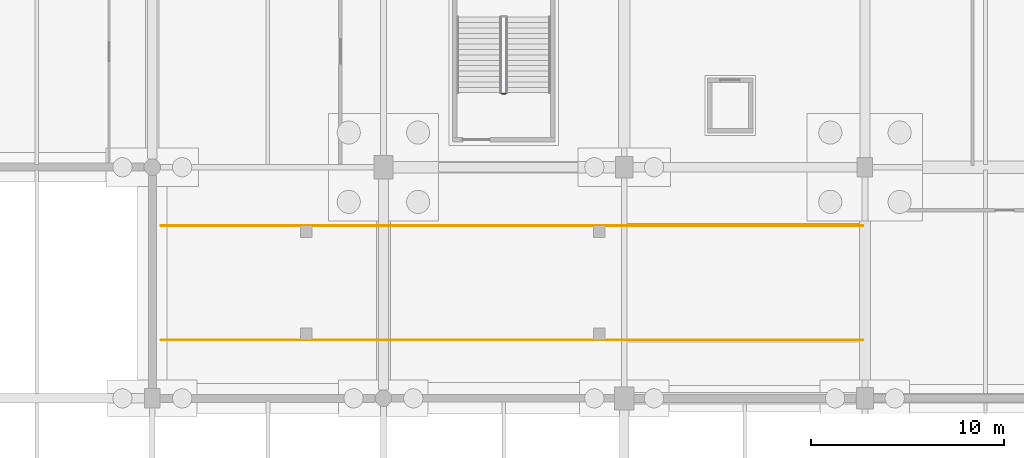
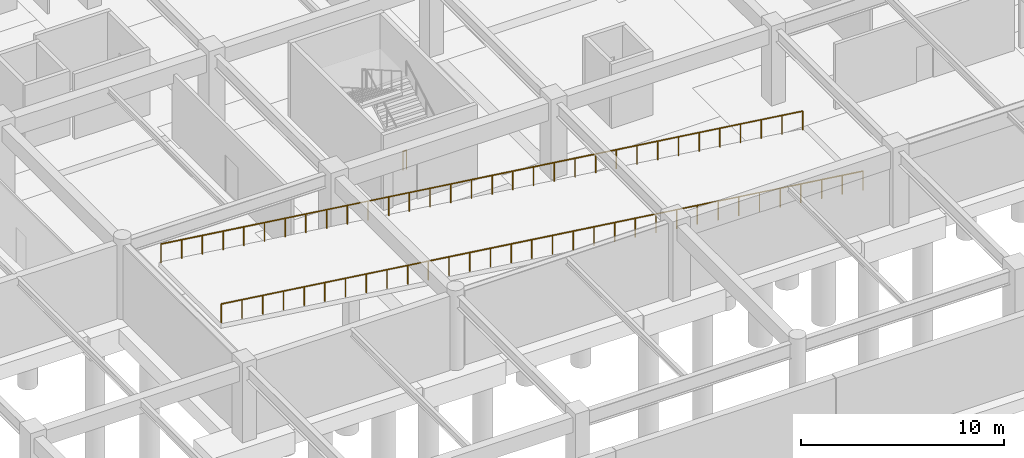
# One storey, part 42 of 56: 3 railings.
"""IFC4 building model written with IfcOpenShell, lengths in metres."""

from ifc_helpers import new_model, si_unit, direction, frame, origin, origin_2d, place, context, subcontext, project, spatial, circle, extrude, material, layer, layer_set, type_object, element, save


model = new_model("IFC4")

# Units and contexts
model_context = context("Model", 3, precision=1e-05, world=origin(), true_north=direction((0.0, 1.0)))
body_context = subcontext(model_context, "Body", "Model", "MODEL_VIEW")
ifc_project = project(units=[si_unit("LENGTHUNIT", "METRE"), si_unit("AREAUNIT", "SQUARE_METRE"), si_unit("VOLUMEUNIT", "CUBIC_METRE"), si_unit("PLANEANGLEUNIT", "RADIAN"), si_unit("MASSUNIT", "GRAM", prefix="KILO")], contexts=[model_context])

# Site, building, storey
site_placement = place(None, origin())
site = spatial("IfcSite", under=ifc_project, at=site_placement, CompositionType="ELEMENT")
building_placement = place(site_placement, origin())
building = spatial("IfcBuilding", under=site, at=building_placement, Name="Kazenohara Klinker Stadium", CompositionType="ELEMENT")
storey_placement = place(building_placement, frame((0.0, 0.0, -4.800048828125)))
storey = spatial("IfcBuildingStorey", under=building, at=storey_placement, Name="B01", CompositionType="ELEMENT", Elevation=-4.800048828125)

# Railings
ifc_material_1 = material(Name="Galvanised powder-coated steel guardrail", Category="steel")
ifc_layer_1 = layer(ifc_material_1, 0.070068359375)
ifc_layer_set_1 = layer_set([ifc_layer_1], Name="Galvanised powder-coated steel guardrail")
railing_type_1 = type_object("IfcRailingType", Name="RL-GRD-1150", PredefinedType="GUARDRAIL", material=ifc_layer_set_1)
railing_1_placement = place(storey_placement, frame((12.449951171875, 15.030029296875, 4.7900390625)))
element("IfcRailing", 1, at=railing_1_placement, inside=storey, type_object=railing_type_1, Name="Sloped vehicle ramp kerb guardrail GR01-RV01-S", PredefinedType="GUARDRAIL", context=body_context, shape_type="SweptSolid", body=[
    extrude(circle(Radius=0.02392578125, at=origin_2d()), frame((0.0, 0.0, 1.1259765625), z_axis=(0.991510555249, 0.0, -0.130026223626), x_axis=(0.0, 1.0, 0.0)), (0.0, 0.0, 1.0), 36.761962890625),
    extrude(circle(Radius=0.02099609375, at=origin_2d()), origin(), (0.0, 0.0, 1.0), 1.101806640625),
    extrude(circle(Radius=0.02099609375, at=origin_2d()), frame((1.17578125, 0.0, -0.154296875)), (0.0, 0.0, 1.0), 1.101806640625),
    extrude(circle(Radius=0.02099609375, at=origin_2d()), frame((2.3515625, 0.0, -0.308349609375)), (0.0, 0.0, 1.0), 1.101806640625),
    extrude(circle(Radius=0.02099609375, at=origin_2d()), frame((3.52734375, 0.0, -0.462646484375)), (0.0, 0.0, 1.0), 1.101806640625),
    extrude(circle(Radius=0.02099609375, at=origin_2d()), frame((4.703125, 0.0, -0.61669921875)), (0.0, 0.0, 1.0), 1.101806640625),
    extrude(circle(Radius=0.02099609375, at=origin_2d()), frame((5.87890625, 0.0, -0.77099609375)), (0.0, 0.0, 1.0), 1.101806640625),
    extrude(circle(Radius=0.02099609375, at=origin_2d()), frame((7.054931640625, 0.0, -0.925048828125)), (0.0, 0.0, 1.0), 1.101806640625),
    extrude(circle(Radius=0.02099609375, at=origin_2d()), frame((8.230712890625, 0.0, -1.079345703125)), (0.0, 0.0, 1.0), 1.101806640625),
    extrude(circle(Radius=0.02099609375, at=origin_2d()), frame((9.406494140625, 0.0, -1.233642578125)), (0.0, 0.0, 1.0), 1.101806640625),
    extrude(circle(Radius=0.02099609375, at=origin_2d()), frame((10.582275390625, 0.0, -1.3876953125)), (0.0, 0.0, 1.0), 1.101806640625),
    extrude(circle(Radius=0.02099609375, at=origin_2d()), frame((11.758056640625, 0.0, -1.5419921875)), (0.0, 0.0, 1.0), 1.101806640625),
    extrude(circle(Radius=0.02099609375, at=origin_2d()), frame((12.933837890625, 0.0, -1.696044921875)), (0.0, 0.0, 1.0), 1.101806640625),
    extrude(circle(Radius=0.02099609375, at=origin_2d()), frame((14.109619140625, 0.0, -1.850341796875)), (0.0, 0.0, 1.0), 1.101806640625),
    extrude(circle(Radius=0.02099609375, at=origin_2d()), frame((15.285400390625, 0.0, -2.004638671875)), (0.0, 0.0, 1.0), 1.101806640625),
    extrude(circle(Radius=0.02099609375, at=origin_2d()), frame((16.461181640625, 0.0, -2.15869140625)), (0.0, 0.0, 1.0), 1.101806640625),
    extrude(circle(Radius=0.02099609375, at=origin_2d()), frame((17.636962890625, 0.0, -2.31298828125)), (0.0, 0.0, 1.0), 1.101806640625),
    extrude(circle(Radius=0.02099609375, at=origin_2d()), frame((18.81298828125, 0.0, -2.467041015625)), (0.0, 0.0, 1.0), 1.101806640625),
    extrude(circle(Radius=0.02099609375, at=origin_2d()), frame((19.98876953125, 0.0, -2.621337890625)), (0.0, 0.0, 1.0), 1.101806640625),
    extrude(circle(Radius=0.02099609375, at=origin_2d()), frame((21.16455078125, 0.0, -2.775390625)), (0.0, 0.0, 1.0), 1.101806640625),
    extrude(circle(Radius=0.02099609375, at=origin_2d()), frame((22.34033203125, 0.0, -2.9296875)), (0.0, 0.0, 1.0), 1.101806640625),
    extrude(circle(Radius=0.02099609375, at=origin_2d()), frame((23.51611328125, 0.0, -3.083984375)), (0.0, 0.0, 1.0), 1.101806640625),
    extrude(circle(Radius=0.02099609375, at=origin_2d()), frame((24.69189453125, 0.0, -3.238037109375)), (0.0, 0.0, 1.0), 1.101806640625),
    extrude(circle(Radius=0.02099609375, at=origin_2d()), frame((25.86767578125, 0.0, -3.392333984375)), (0.0, 0.0, 1.0), 1.101806640625),
    extrude(circle(Radius=0.02099609375, at=origin_2d()), frame((27.04345703125, 0.0, -3.54638671875)), (0.0, 0.0, 1.0), 1.101806640625),
    extrude(circle(Radius=0.02099609375, at=origin_2d()), frame((28.21923828125, 0.0, -3.70068359375)), (0.0, 0.0, 1.0), 1.101806640625),
    extrude(circle(Radius=0.02099609375, at=origin_2d()), frame((29.39501953125, 0.0, -3.85498046875)), (0.0, 0.0, 1.0), 1.101806640625),
    extrude(circle(Radius=0.02099609375, at=origin_2d()), frame((30.571044921875, 0.0, -4.009033203125)), (0.0, 0.0, 1.0), 1.101806640625),
    extrude(circle(Radius=0.02099609375, at=origin_2d()), frame((31.746826171875, 0.0, -4.163330078125)), (0.0, 0.0, 1.0), 1.101806640625),
    extrude(circle(Radius=0.02099609375, at=origin_2d()), frame((32.922607421875, 0.0, -4.3173828125)), (0.0, 0.0, 1.0), 1.101806640625),
    extrude(circle(Radius=0.02099609375, at=origin_2d()), frame((34.098388671875, 0.0, -4.4716796875)), (0.0, 0.0, 1.0), 1.101806640625),
    extrude(circle(Radius=0.02099609375, at=origin_2d()), frame((35.274169921875, 0.0, -4.625732421875)), (0.0, 0.0, 1.0), 1.101806640625),
    extrude(circle(Radius=0.02099609375, at=origin_2d()), frame((36.449951171875, 0.0, -4.780029296875)), (0.0, 0.0, 1.0), 1.101806640625),
])
railing_2_placement = place(storey_placement, frame((12.449951171875, 20.969970703125, 4.7900390625)))
element("IfcRailing", 2, at=railing_2_placement, inside=storey, type_object=railing_type_1, Name="Sloped vehicle ramp kerb guardrail GR01-RV01-N", PredefinedType="GUARDRAIL", context=body_context, shape_type="SweptSolid", body=[
    extrude(circle(Radius=0.02392578125, at=origin_2d()), frame((0.0, 0.0, 1.1259765625), z_axis=(0.991510555249, 0.0, -0.130026223626), x_axis=(0.0, 1.0, 0.0)), (0.0, 0.0, 1.0), 36.761962890625),
    extrude(circle(Radius=0.02099609375, at=origin_2d()), origin(), (0.0, 0.0, 1.0), 1.101806640625),
    extrude(circle(Radius=0.02099609375, at=origin_2d()), frame((1.17578125, 0.0, -0.154296875)), (0.0, 0.0, 1.0), 1.101806640625),
    extrude(circle(Radius=0.02099609375, at=origin_2d()), frame((2.3515625, 0.0, -0.308349609375)), (0.0, 0.0, 1.0), 1.101806640625),
    extrude(circle(Radius=0.02099609375, at=origin_2d()), frame((3.52734375, 0.0, -0.462646484375)), (0.0, 0.0, 1.0), 1.101806640625),
    extrude(circle(Radius=0.02099609375, at=origin_2d()), frame((4.703125, 0.0, -0.61669921875)), (0.0, 0.0, 1.0), 1.101806640625),
    extrude(circle(Radius=0.02099609375, at=origin_2d()), frame((5.87890625, 0.0, -0.77099609375)), (0.0, 0.0, 1.0), 1.101806640625),
    extrude(circle(Radius=0.02099609375, at=origin_2d()), frame((7.054931640625, 0.0, -0.925048828125)), (0.0, 0.0, 1.0), 1.101806640625),
    extrude(circle(Radius=0.02099609375, at=origin_2d()), frame((8.230712890625, 0.0, -1.079345703125)), (0.0, 0.0, 1.0), 1.101806640625),
    extrude(circle(Radius=0.02099609375, at=origin_2d()), frame((9.406494140625, 0.0, -1.233642578125)), (0.0, 0.0, 1.0), 1.101806640625),
    extrude(circle(Radius=0.02099609375, at=origin_2d()), frame((10.582275390625, 0.0, -1.3876953125)), (0.0, 0.0, 1.0), 1.101806640625),
    extrude(circle(Radius=0.02099609375, at=origin_2d()), frame((11.758056640625, 0.0, -1.5419921875)), (0.0, 0.0, 1.0), 1.101806640625),
    extrude(circle(Radius=0.02099609375, at=origin_2d()), frame((12.933837890625, 0.0, -1.696044921875)), (0.0, 0.0, 1.0), 1.101806640625),
    extrude(circle(Radius=0.02099609375, at=origin_2d()), frame((14.109619140625, 0.0, -1.850341796875)), (0.0, 0.0, 1.0), 1.101806640625),
    extrude(circle(Radius=0.02099609375, at=origin_2d()), frame((15.285400390625, 0.0, -2.004638671875)), (0.0, 0.0, 1.0), 1.101806640625),
    extrude(circle(Radius=0.02099609375, at=origin_2d()), frame((16.461181640625, 0.0, -2.15869140625)), (0.0, 0.0, 1.0), 1.101806640625),
    extrude(circle(Radius=0.02099609375, at=origin_2d()), frame((17.636962890625, 0.0, -2.31298828125)), (0.0, 0.0, 1.0), 1.101806640625),
    extrude(circle(Radius=0.02099609375, at=origin_2d()), frame((18.81298828125, 0.0, -2.467041015625)), (0.0, 0.0, 1.0), 1.101806640625),
    extrude(circle(Radius=0.02099609375, at=origin_2d()), frame((19.98876953125, 0.0, -2.621337890625)), (0.0, 0.0, 1.0), 1.101806640625),
    extrude(circle(Radius=0.02099609375, at=origin_2d()), frame((21.16455078125, 0.0, -2.775390625)), (0.0, 0.0, 1.0), 1.101806640625),
    extrude(circle(Radius=0.02099609375, at=origin_2d()), frame((22.34033203125, 0.0, -2.9296875)), (0.0, 0.0, 1.0), 1.101806640625),
    extrude(circle(Radius=0.02099609375, at=origin_2d()), frame((23.51611328125, 0.0, -3.083984375)), (0.0, 0.0, 1.0), 1.101806640625),
    extrude(circle(Radius=0.02099609375, at=origin_2d()), frame((24.69189453125, 0.0, -3.238037109375)), (0.0, 0.0, 1.0), 1.101806640625),
    extrude(circle(Radius=0.02099609375, at=origin_2d()), frame((25.86767578125, 0.0, -3.392333984375)), (0.0, 0.0, 1.0), 1.101806640625),
    extrude(circle(Radius=0.02099609375, at=origin_2d()), frame((27.04345703125, 0.0, -3.54638671875)), (0.0, 0.0, 1.0), 1.101806640625),
    extrude(circle(Radius=0.02099609375, at=origin_2d()), frame((28.21923828125, 0.0, -3.70068359375)), (0.0, 0.0, 1.0), 1.101806640625),
    extrude(circle(Radius=0.02099609375, at=origin_2d()), frame((29.39501953125, 0.0, -3.85498046875)), (0.0, 0.0, 1.0), 1.101806640625),
    extrude(circle(Radius=0.02099609375, at=origin_2d()), frame((30.571044921875, 0.0, -4.009033203125)), (0.0, 0.0, 1.0), 1.101806640625),
    extrude(circle(Radius=0.02099609375, at=origin_2d()), frame((31.746826171875, 0.0, -4.163330078125)), (0.0, 0.0, 1.0), 1.101806640625),
    extrude(circle(Radius=0.02099609375, at=origin_2d()), frame((32.922607421875, 0.0, -4.3173828125)), (0.0, 0.0, 1.0), 1.101806640625),
    extrude(circle(Radius=0.02099609375, at=origin_2d()), frame((34.098388671875, 0.0, -4.4716796875)), (0.0, 0.0, 1.0), 1.101806640625),
    extrude(circle(Radius=0.02099609375, at=origin_2d()), frame((35.274169921875, 0.0, -4.625732421875)), (0.0, 0.0, 1.0), 1.101806640625),
    extrude(circle(Radius=0.02099609375, at=origin_2d()), frame((36.449951171875, 0.0, -4.780029296875)), (0.0, 0.0, 1.0), 1.101806640625),
])
ifc_material_2 = material(Name="Painted steel stairwell guardrail", Category="steel")
ifc_layer_2 = layer(ifc_material_2, 0.06005859375)
ifc_layer_set_2 = layer_set([ifc_layer_2], Name="Painted steel stairwell guardrail")
railing_type_2 = type_object("IfcRailingType", Name="RL-STG-1120", PredefinedType="GUARDRAIL", material=ifc_layer_set_2)
railing_3_placement = place(storey_placement, frame((30.35009765625, 27.820068359375, 0.0)))
element("IfcRailing", 3, at=railing_3_placement, inside=storey, type_object=railing_type_2, Name="B01 ST07 stair guard 4", PredefinedType="GUARDRAIL", context=body_context, shape_type="SweptSolid", body=[
    extrude(circle(Radius=0.02392578125, at=origin_2d()), frame((0.0, 0.0, 1.1259765625), z_axis=(-1.0, 0.0, 0.0), x_axis=(0.0, -1.0, 0.0)), (0.0, 0.0, 1.0), 0.2001953125),
    extrude(circle(Radius=0.02099609375, at=origin_2d()), origin(), (0.0, 0.0, 1.0), 1.101806640625),
    extrude(circle(Radius=0.02099609375, at=origin_2d()), frame((-0.2001953125, 0.0, 0.0)), (0.0, 0.0, 1.0), 1.101806640625),
])

save(model, "model.ifc")
